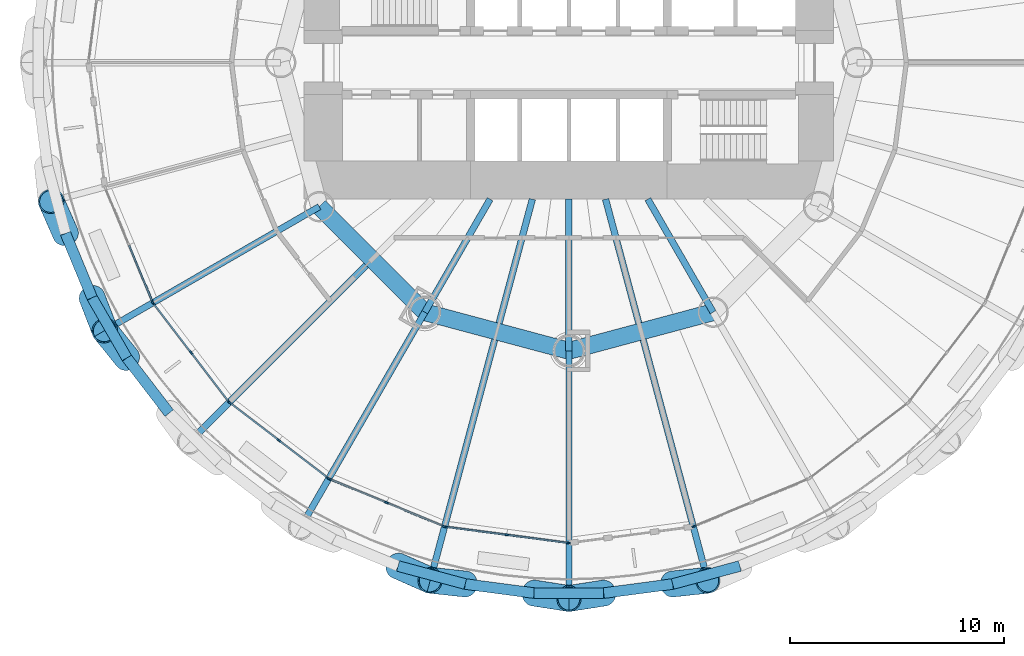
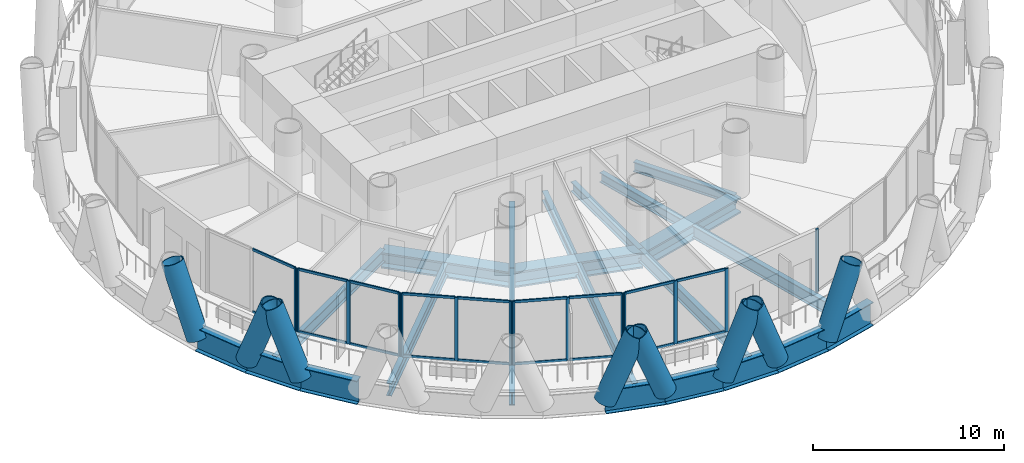
# One storey, part 2 of 16: 40 members, 22 beams, 6 elements without a shape of their own.
"""IFC4 building model written with IfcOpenShell, lengths in metres."""

from ifc_helpers import new_model, si_unit, direction, frame, origin, origin_2d, place, context, subcontext, project, spatial, rectangle, hollow_circle, i_section, extrude, material, material_profile, profile_set, type_object, element, aggregate, save


model = new_model("IFC4")

# Units and contexts
model_context = context("Model", 3, precision=1e-05, world=origin(), true_north=direction((0.0, 1.0)))
body_context = subcontext(model_context, "Body", "Model", "MODEL_VIEW")
ifc_project = project(units=[si_unit("LENGTHUNIT", "METRE"), si_unit("AREAUNIT", "SQUARE_METRE"), si_unit("VOLUMEUNIT", "CUBIC_METRE"), si_unit("PLANEANGLEUNIT", "RADIAN"), si_unit("MASSUNIT", "GRAM", prefix="KILO")], contexts=[model_context])

# Site, building, storey
site_placement = place(None, origin())
site = spatial("IfcSite", under=ifc_project, at=site_placement, CompositionType="ELEMENT")
building_placement = place(site_placement, origin())
building = spatial("IfcBuilding", under=site, at=building_placement, Name="Qaws Media Tower", CompositionType="ELEMENT")
storey_placement = place(building_placement, frame((0.0, 0.0, 55.39990234375)))
storey = spatial("IfcBuildingStorey", under=building, at=storey_placement, Name="L11", CompositionType="ELEMENT", Elevation=55.39990234375)

# Curtain wall, member
ifc_material_1 = material(Name="Aluminium and clear glass", Category="aluminium")
curtain_wall_type = type_object("IfcCurtainWallType", Name="Unitised curtain wall CW-A", PredefinedType="NOTDEFINED", material=ifc_material_1)
curtain_wall_1_placement = place(storey_placement, origin())
curtain_wall_1 = element("IfcCurtainWall", 1, at=curtain_wall_1_placement, inside=storey, type_object=curtain_wall_type, Name="CWA curtain wall L11-14", PredefinedType="NOTDEFINED")
ifc_material_2 = material(Name="Aluminium mullion", Category="aluminium")
ifc_material_profile_1 = material_profile(ifc_material_2, rectangle(XDim=0.080078125, YDim=0.199951171875, at=origin_2d()), Name="80x200")
ifc_profile_set_1 = profile_set([ifc_material_profile_1], Name="Aluminium mullion")
member_type_1 = type_object("IfcMemberType", Name="Curtain wall mullion 80x200", PredefinedType="MULLION", material=ifc_profile_set_1)
member_1_placement = place(storey_placement, frame((40.4990234375, 38.786865234375, 0.0), z_axis=(0.0, 0.0, 1.0), x_axis=(0.923879550892, 0.38268338799, 0.0)))
member_1 = element("IfcMember", 2, at=member_1_placement, type_object=member_type_1, Name="CWA mullion 3", PredefinedType="MULLION", context=body_context, shape_type="SweptSolid", body=[
    extrude(rectangle(XDim=0.080078125, YDim=0.199951171875, at=origin_2d()), origin(), (0.0, 0.0, 1.0), 4.0400390625),
])

# Curtain wall, members
curtain_wall_2_placement = place(storey_placement, origin())
curtain_wall_2 = element("IfcCurtainWall", 3, at=curtain_wall_2_placement, inside=storey, type_object=curtain_wall_type, Name="CWA curtain wall L11-15", PredefinedType="NOTDEFINED")
member_2_placement = place(storey_placement, frame((40.538818359375, 38.71826171875, 0.0), z_axis=(0.0, 0.0, 1.0), x_axis=(0.793353367693, 0.608761393298, 0.0)))
member_2 = element("IfcMember", 4, at=member_2_placement, type_object=member_type_1, Name="CWA mullion 1", PredefinedType="MULLION", context=body_context, shape_type="SweptSolid", body=[
    extrude(rectangle(XDim=0.080078125, YDim=0.199951171875, at=origin_2d()), origin(), (0.0, 0.0, 1.0), 4.0400390625),
])
member_3_placement = place(storey_placement, frame((42.30224609375, 36.420166015625, 0.0), z_axis=(0.0, 0.0, 1.0), x_axis=(0.793353367693, 0.608761393298, 0.0)))
member_3 = element("IfcMember", 5, at=member_3_placement, type_object=member_type_1, Name="CWA mullion 2", PredefinedType="MULLION", context=body_context, shape_type="SweptSolid", body=[
    extrude(rectangle(XDim=0.080078125, YDim=0.199951171875, at=origin_2d()), origin(), (0.0, 0.0, 1.0), 4.0400390625),
])
member_4_placement = place(storey_placement, frame((44.065673828125, 34.121826171875, 0.0), z_axis=(0.0, 0.0, 1.0), x_axis=(0.793353367693, 0.608761393298, 0.0)))
member_4 = element("IfcMember", 6, at=member_4_placement, type_object=member_type_1, Name="CWA mullion 3", PredefinedType="MULLION", context=body_context, shape_type="SweptSolid", body=[
    extrude(rectangle(XDim=0.080078125, YDim=0.199951171875, at=origin_2d()), origin(), (0.0, 0.0, 1.0), 4.0400390625),
])

curtain_wall_3_placement = place(storey_placement, origin())
curtain_wall_3 = element("IfcCurtainWall", 7, at=curtain_wall_3_placement, inside=storey, type_object=curtain_wall_type, Name="CWA curtain wall L11-16", PredefinedType="NOTDEFINED")
member_5_placement = place(storey_placement, frame((44.121826171875, 34.065673828125, 0.0), z_axis=(0.0, 0.0, 1.0), x_axis=(0.608761393298, 0.793353367693, 0.0)))
member_5 = element("IfcMember", 8, at=member_5_placement, type_object=member_type_1, Name="CWA mullion 1", PredefinedType="MULLION", context=body_context, shape_type="SweptSolid", body=[
    extrude(rectangle(XDim=0.080078125, YDim=0.199951171875, at=origin_2d()), origin(), (0.0, 0.0, 1.0), 4.0400390625),
])
member_6_placement = place(storey_placement, frame((46.420166015625, 32.30224609375, 0.0), z_axis=(0.0, 0.0, 1.0), x_axis=(0.608761393298, 0.793353367693, 0.0)))
member_6 = element("IfcMember", 9, at=member_6_placement, type_object=member_type_1, Name="CWA mullion 2", PredefinedType="MULLION", context=body_context, shape_type="SweptSolid", body=[
    extrude(rectangle(XDim=0.080078125, YDim=0.199951171875, at=origin_2d()), origin(), (0.0, 0.0, 1.0), 4.0400390625),
])
member_7_placement = place(storey_placement, frame((48.71826171875, 30.538818359375, 0.0), z_axis=(0.0, 0.0, 1.0), x_axis=(0.608761393298, 0.793353367693, 0.0)))
member_7 = element("IfcMember", 10, at=member_7_placement, type_object=member_type_1, Name="CWA mullion 3", PredefinedType="MULLION", context=body_context, shape_type="SweptSolid", body=[
    extrude(rectangle(XDim=0.080078125, YDim=0.199951171875, at=origin_2d()), origin(), (0.0, 0.0, 1.0), 4.0400390625),
])

curtain_wall_4_placement = place(storey_placement, origin())
curtain_wall_4 = element("IfcCurtainWall", 11, at=curtain_wall_4_placement, inside=storey, type_object=curtain_wall_type, Name="CWA curtain wall L11-17", PredefinedType="NOTDEFINED")
member_8_placement = place(storey_placement, frame((48.786865234375, 30.4990234375, 0.0), z_axis=(0.0, 0.0, 1.0), x_axis=(0.38268338799, 0.923879550892, 0.0)))
member_8 = element("IfcMember", 12, at=member_8_placement, type_object=member_type_1, Name="CWA mullion 1", PredefinedType="MULLION", context=body_context, shape_type="SweptSolid", body=[
    extrude(rectangle(XDim=0.080078125, YDim=0.199951171875, at=origin_2d()), origin(), (0.0, 0.0, 1.0), 4.0400390625),
])
member_9_placement = place(storey_placement, frame((51.46337890625, 29.390625, 0.0), z_axis=(0.0, 0.0, 1.0), x_axis=(0.38268338799, 0.923879550892, 0.0)))
member_9 = element("IfcMember", 13, at=member_9_placement, type_object=member_type_1, Name="CWA mullion 2", PredefinedType="MULLION", context=body_context, shape_type="SweptSolid", body=[
    extrude(rectangle(XDim=0.080078125, YDim=0.199951171875, at=origin_2d()), origin(), (0.0, 0.0, 1.0), 4.0400390625),
])
member_10_placement = place(storey_placement, frame((54.1396484375, 28.281982421875, 0.0), z_axis=(0.0, 0.0, 1.0), x_axis=(0.38268338799, 0.923879550892, 0.0)))
member_10 = element("IfcMember", 14, at=member_10_placement, type_object=member_type_1, Name="CWA mullion 3", PredefinedType="MULLION", context=body_context, shape_type="SweptSolid", body=[
    extrude(rectangle(XDim=0.080078125, YDim=0.199951171875, at=origin_2d()), origin(), (0.0, 0.0, 1.0), 4.0400390625),
])

curtain_wall_5_placement = place(storey_placement, origin())
curtain_wall_5 = element("IfcCurtainWall", 15, at=curtain_wall_5_placement, inside=storey, type_object=curtain_wall_type, Name="CWA curtain wall L11-18", PredefinedType="NOTDEFINED")
member_11_placement = place(storey_placement, frame((54.21630859375, 28.261474609375, 0.0), z_axis=(0.0, 0.0, 1.0), x_axis=(0.13052619684, 0.991444860766, 0.0)))
member_11 = element("IfcMember", 16, at=member_11_placement, type_object=member_type_1, Name="CWA mullion 1", PredefinedType="MULLION", context=body_context, shape_type="SweptSolid", body=[
    extrude(rectangle(XDim=0.080078125, YDim=0.199951171875, at=origin_2d()), origin(), (0.0, 0.0, 1.0), 4.0400390625),
])
member_12_placement = place(storey_placement, frame((57.08837890625, 27.88330078125, 0.0), z_axis=(0.0, 0.0, 1.0), x_axis=(0.13052619684, 0.991444860766, 0.0)))
member_12 = element("IfcMember", 17, at=member_12_placement, type_object=member_type_1, Name="CWA mullion 2", PredefinedType="MULLION", context=body_context, shape_type="SweptSolid", body=[
    extrude(rectangle(XDim=0.080078125, YDim=0.199951171875, at=origin_2d()), origin(), (0.0, 0.0, 1.0), 4.0400390625),
])
member_13_placement = place(storey_placement, frame((59.96044921875, 27.505126953125, 0.0), z_axis=(0.0, 0.0, 1.0), x_axis=(0.13052619684, 0.991444860766, 0.0)))
member_13 = element("IfcMember", 18, at=member_13_placement, type_object=member_type_1, Name="CWA mullion 3", PredefinedType="MULLION", context=body_context, shape_type="SweptSolid", body=[
    extrude(rectangle(XDim=0.080078125, YDim=0.199951171875, at=origin_2d()), origin(), (0.0, 0.0, 1.0), 4.0400390625),
])

# Curtain wall, member
curtain_wall_6_placement = place(storey_placement, origin())
curtain_wall_6 = element("IfcCurtainWall", 19, at=curtain_wall_6_placement, inside=storey, type_object=curtain_wall_type, Name="CWA curtain wall L11-20", PredefinedType="NOTDEFINED")
member_14_placement = place(storey_placement, frame((65.8603515625, 28.281982421875, 0.0), z_axis=(0.0, 0.0, 1.0), x_axis=(-0.38268338799, 0.923879550892, 0.0)))
member_14 = element("IfcMember", 20, at=member_14_placement, type_object=member_type_1, Name="CWA mullion 1", PredefinedType="MULLION", context=body_context, shape_type="SweptSolid", body=[
    extrude(rectangle(XDim=0.080078125, YDim=0.199951171875, at=origin_2d()), origin(), (0.0, 0.0, 1.0), 4.0400390625),
])
aggregate(curtain_wall_6, [member_14])

# Member
ifc_material_3 = material(Name="Aluminium transom", Category="aluminium")
ifc_material_profile_2 = material_profile(ifc_material_3, rectangle(XDim=0.080078125, YDim=0.159912109375, at=origin_2d()), Name="80x160")
ifc_profile_set_2 = profile_set([ifc_material_profile_2], Name="Aluminium transom")
member_type_2 = type_object("IfcMemberType", Name="Curtain wall transom 80x160", PredefinedType="USERDEFINED", material=ifc_profile_set_2)
member_15_placement = place(storey_placement, frame((39.40576171875, 41.42626953125, 0.0400390625), z_axis=(0.382749839039, -0.92385202317, 0.0), x_axis=(0.92385202317, 0.382749839039, 0.0)))
member_15 = element("IfcMember", 21, at=member_15_placement, type_object=member_type_2, Name="CWA transom 2.1", ObjectType="TRANSOM", PredefinedType="USERDEFINED", context=body_context, shape_type="SweptSolid", body=[
    extrude(rectangle(XDim=0.080078125, YDim=0.159912109375, at=origin_2d()), origin(), (0.0, 0.0, 1.0), 2.81689453125),
])

member_16_placement = place(storey_placement, frame((39.40576171875, 41.42626953125, 4.0), z_axis=(0.382749839039, -0.92385202317, 0.0), x_axis=(0.92385202317, 0.382749839039, 0.0)))
member_16 = element("IfcMember", 22, at=member_16_placement, type_object=member_type_2, Name="CWA transom 2.2", ObjectType="TRANSOM", PredefinedType="USERDEFINED", context=body_context, shape_type="SweptSolid", body=[
    extrude(rectangle(XDim=0.080078125, YDim=0.159912109375, at=origin_2d()), origin(), (0.0, 0.0, 1.0), 2.81689453125),
])

aggregate(curtain_wall_1, [member_1, member_15, member_16])

member_17_placement = place(storey_placement, frame((40.563232421875, 38.6865234375, 0.0400390625), z_axis=(0.608742665806, -0.793367737451, 0.0), x_axis=(0.793367737451, 0.608742665806, 0.0)))
member_17 = element("IfcMember", 23, at=member_17_placement, type_object=member_type_2, Name="CWA transom 1.1", ObjectType="TRANSOM", PredefinedType="USERDEFINED", context=body_context, shape_type="SweptSolid", body=[
    extrude(rectangle(XDim=0.080078125, YDim=0.159912109375, at=origin_2d()), origin(), (0.0, 0.0, 1.0), 2.816650390625),
])

member_18_placement = place(storey_placement, frame((40.563232421875, 38.6865234375, 4.0), z_axis=(0.608742665806, -0.793367737451, 0.0), x_axis=(0.793367737451, 0.608742665806, 0.0)))
member_18 = element("IfcMember", 24, at=member_18_placement, type_object=member_type_2, Name="CWA transom 1.2", ObjectType="TRANSOM", PredefinedType="USERDEFINED", context=body_context, shape_type="SweptSolid", body=[
    extrude(rectangle(XDim=0.080078125, YDim=0.159912109375, at=origin_2d()), origin(), (0.0, 0.0, 1.0), 2.816650390625),
])

member_19_placement = place(storey_placement, frame((42.32666015625, 36.388427734375, 0.0400390625), z_axis=(0.608755360459, -0.793357996817, 0.0), x_axis=(0.793357996817, 0.608755360459, 0.0)))
member_19 = element("IfcMember", 25, at=member_19_placement, type_object=member_type_2, Name="CWA transom 2.1", ObjectType="TRANSOM", PredefinedType="USERDEFINED", context=body_context, shape_type="SweptSolid", body=[
    extrude(rectangle(XDim=0.080078125, YDim=0.159912109375, at=origin_2d()), origin(), (0.0, 0.0, 1.0), 2.81689453125),
])

member_20_placement = place(storey_placement, frame((42.32666015625, 36.388427734375, 4.0), z_axis=(0.608755360459, -0.793357996817, 0.0), x_axis=(0.793357996817, 0.608755360459, 0.0)))
member_20 = element("IfcMember", 26, at=member_20_placement, type_object=member_type_2, Name="CWA transom 2.2", ObjectType="TRANSOM", PredefinedType="USERDEFINED", context=body_context, shape_type="SweptSolid", body=[
    extrude(rectangle(XDim=0.080078125, YDim=0.159912109375, at=origin_2d()), origin(), (0.0, 0.0, 1.0), 2.81689453125),
])

aggregate(curtain_wall_2, [member_2, member_3, member_4, member_17, member_18, member_19, member_20])

member_21_placement = place(storey_placement, frame((44.153564453125, 34.04150390625, 0.0400390625), z_axis=(0.793357996817, -0.608755360459, 0.0), x_axis=(0.608755360459, 0.793357996817, 0.0)))
member_21 = element("IfcMember", 27, at=member_21_placement, type_object=member_type_2, Name="CWA transom 1.1", ObjectType="TRANSOM", PredefinedType="USERDEFINED", context=body_context, shape_type="SweptSolid", body=[
    extrude(rectangle(XDim=0.080078125, YDim=0.159912109375, at=origin_2d()), origin(), (0.0, 0.0, 1.0), 2.81689453125),
])

member_22_placement = place(storey_placement, frame((44.153564453125, 34.04150390625, 4.0), z_axis=(0.793357996817, -0.608755360459, 0.0), x_axis=(0.608755360459, 0.793357996817, 0.0)))
member_22 = element("IfcMember", 28, at=member_22_placement, type_object=member_type_2, Name="CWA transom 1.2", ObjectType="TRANSOM", PredefinedType="USERDEFINED", context=body_context, shape_type="SweptSolid", body=[
    extrude(rectangle(XDim=0.080078125, YDim=0.159912109375, at=origin_2d()), origin(), (0.0, 0.0, 1.0), 2.81689453125),
])

member_23_placement = place(storey_placement, frame((46.451904296875, 32.27783203125, 0.0400390625), z_axis=(0.793367737451, -0.608742665806, 0.0), x_axis=(0.608742665806, 0.793367737451, 0.0)))
member_23 = element("IfcMember", 29, at=member_23_placement, type_object=member_type_2, Name="CWA transom 2.1", ObjectType="TRANSOM", PredefinedType="USERDEFINED", context=body_context, shape_type="SweptSolid", body=[
    extrude(rectangle(XDim=0.080078125, YDim=0.159912109375, at=origin_2d()), origin(), (0.0, 0.0, 1.0), 2.816650390625),
])

member_24_placement = place(storey_placement, frame((46.451904296875, 32.27783203125, 4.0), z_axis=(0.793367737451, -0.608742665806, 0.0), x_axis=(0.608742665806, 0.793367737451, 0.0)))
member_24 = element("IfcMember", 30, at=member_24_placement, type_object=member_type_2, Name="CWA transom 2.2", ObjectType="TRANSOM", PredefinedType="USERDEFINED", context=body_context, shape_type="SweptSolid", body=[
    extrude(rectangle(XDim=0.080078125, YDim=0.159912109375, at=origin_2d()), origin(), (0.0, 0.0, 1.0), 2.816650390625),
])

aggregate(curtain_wall_3, [member_5, member_6, member_7, member_21, member_22, member_23, member_24])

member_25_placement = place(storey_placement, frame((48.823974609375, 30.48388671875, 0.0400390625), z_axis=(0.92385202317, -0.382749839039, 0.0), x_axis=(0.382749839039, 0.92385202317, 0.0)))
member_25 = element("IfcMember", 31, at=member_25_placement, type_object=member_type_2, Name="CWA transom 1.1", ObjectType="TRANSOM", PredefinedType="USERDEFINED", context=body_context, shape_type="SweptSolid", body=[
    extrude(rectangle(XDim=0.080078125, YDim=0.159912109375, at=origin_2d()), origin(), (0.0, 0.0, 1.0), 2.81689453125),
])

member_26_placement = place(storey_placement, frame((48.823974609375, 30.48388671875, 4.0), z_axis=(0.92385202317, -0.382749839039, 0.0), x_axis=(0.382749839039, 0.92385202317, 0.0)))
member_26 = element("IfcMember", 32, at=member_26_placement, type_object=member_type_2, Name="CWA transom 1.2", ObjectType="TRANSOM", PredefinedType="USERDEFINED", context=body_context, shape_type="SweptSolid", body=[
    extrude(rectangle(XDim=0.080078125, YDim=0.159912109375, at=origin_2d()), origin(), (0.0, 0.0, 1.0), 2.81689453125),
])

member_27_placement = place(storey_placement, frame((51.500244140625, 29.375244140625, 0.0400390625), z_axis=(0.923882669313, -0.382675859369, 0.0), x_axis=(0.382675859369, 0.923882669313, 0.0)))
member_27 = element("IfcMember", 33, at=member_27_placement, type_object=member_type_2, Name="CWA transom 2.1", ObjectType="TRANSOM", PredefinedType="USERDEFINED", context=body_context, shape_type="SweptSolid", body=[
    extrude(rectangle(XDim=0.080078125, YDim=0.159912109375, at=origin_2d()), origin(), (0.0, 0.0, 1.0), 2.816650390625),
])

member_28_placement = place(storey_placement, frame((51.500244140625, 29.375244140625, 4.0), z_axis=(0.923882669313, -0.382675859369, 0.0), x_axis=(0.382675859369, 0.923882669313, 0.0)))
member_28 = element("IfcMember", 34, at=member_28_placement, type_object=member_type_2, Name="CWA transom 2.2", ObjectType="TRANSOM", PredefinedType="USERDEFINED", context=body_context, shape_type="SweptSolid", body=[
    extrude(rectangle(XDim=0.080078125, YDim=0.159912109375, at=origin_2d()), origin(), (0.0, 0.0, 1.0), 2.816650390625),
])

aggregate(curtain_wall_4, [member_8, member_9, member_10, member_25, member_26, member_27, member_28])

member_29_placement = place(storey_placement, frame((54.255859375, 28.25634765625, 0.0400390625), z_axis=(0.991444557635, -0.130528499327, 0.0), x_axis=(0.130528499327, 0.991444557635, 0.0)))
member_29 = element("IfcMember", 35, at=member_29_placement, type_object=member_type_2, Name="CWA transom 1.1", ObjectType="TRANSOM", PredefinedType="USERDEFINED", context=body_context, shape_type="SweptSolid", body=[
    extrude(rectangle(XDim=0.080078125, YDim=0.159912109375, at=origin_2d()), origin(), (0.0, 0.0, 1.0), 2.81689453125),
])

member_30_placement = place(storey_placement, frame((54.255859375, 28.25634765625, 4.0), z_axis=(0.991444557635, -0.130528499327, 0.0), x_axis=(0.130528499327, 0.991444557635, 0.0)))
member_30 = element("IfcMember", 36, at=member_30_placement, type_object=member_type_2, Name="CWA transom 1.2", ObjectType="TRANSOM", PredefinedType="USERDEFINED", context=body_context, shape_type="SweptSolid", body=[
    extrude(rectangle(XDim=0.080078125, YDim=0.159912109375, at=origin_2d()), origin(), (0.0, 0.0, 1.0), 2.81689453125),
])

member_31_placement = place(storey_placement, frame((57.1279296875, 27.878173828125, 0.0400390625), z_axis=(0.991444557635, -0.130528499327, 0.0), x_axis=(0.130528499327, 0.991444557635, 0.0)))
member_31 = element("IfcMember", 37, at=member_31_placement, type_object=member_type_2, Name="CWA transom 2.1", ObjectType="TRANSOM", PredefinedType="USERDEFINED", context=body_context, shape_type="SweptSolid", body=[
    extrude(rectangle(XDim=0.080078125, YDim=0.159912109375, at=origin_2d()), origin(), (0.0, 0.0, 1.0), 2.81689453125),
])

member_32_placement = place(storey_placement, frame((57.1279296875, 27.878173828125, 4.0), z_axis=(0.991444557635, -0.130528499327, 0.0), x_axis=(0.130528499327, 0.991444557635, 0.0)))
member_32 = element("IfcMember", 38, at=member_32_placement, type_object=member_type_2, Name="CWA transom 2.2", ObjectType="TRANSOM", PredefinedType="USERDEFINED", context=body_context, shape_type="SweptSolid", body=[
    extrude(rectangle(XDim=0.080078125, YDim=0.159912109375, at=origin_2d()), origin(), (0.0, 0.0, 1.0), 2.81689453125),
])

aggregate(curtain_wall_5, [member_11, member_12, member_13, member_29, member_30, member_31, member_32])

# Members
ifc_material_4 = material(Name="Steel S460", Category="steel")
ifc_material_profile_3 = material_profile(ifc_material_4, hollow_circle(Radius=0.609619140625, WallThickness=0.06005859375, at=origin_2d()), Name="CHS 1219x60")
ifc_profile_set_3 = profile_set([ifc_material_profile_3], Name="Steel S460")
member_type_3 = type_object("IfcMemberType", Name="Diagrid member CHS 1219x60", PredefinedType="USERDEFINED", material=ifc_profile_set_3)
for number, where, z_axis, x_axis, name in (
    (39, (37.66796875, 38.987060546875, -0.909912109375), (0.131816923329, -0.340689388047, 0.930889380967), (0.932625997701, 0.360844493393, 0.0), "DG1 diagrid L11 A14"),
    (40, (36.42138671875, 41.99609375, -0.909912109375), (-0.147617876658, 0.334142371102, 0.930890884221), (-0.914713346235, -0.404103321219, 0.0), "DG1 diagrid L11 B14"),
    (41, (39.29638671875, 36.166259765625, -0.909912109375), (-0.229110498228, 0.28452125642, 0.930889915214), (-0.778870486931, -0.627184793014, 0.0), "DG1 diagrid L11 B15"),
    (42, (51.99609375, 26.42138671875, -0.909912109375), (0.334142371102, -0.147617876658, 0.930890884221), (0.404103321219, 0.914713346235, 0.0), "DG1 diagrid L11 A17"),
    (43, (58.37158203125, 25.1533203125, -0.909912109375), (0.360931183514, -0.056168900823, 0.930899422788), (0.153771291255, 0.988106466928, 0.0), "DG1 diagrid L11 A18"),
    (44, (55.142333984375, 25.578369140625, -0.909912109375), (-0.363198476456, 0.039231063086, 0.930885487259), (-0.107390828368, -0.994216882769, 0.0), "DG1 diagrid L11 B18"),
    (45, (64.857666015625, 25.578369140625, -0.909912109375), (0.363198476456, 0.039231063086, 0.930885487259), (-0.107390828368, 0.994216882769, 0.0), "DG1 diagrid L11 A19"),
    (46, (61.62841796875, 25.1533203125, -0.909912109375), (-0.360931183514, -0.056168900823, 0.930899422788), (0.153771291255, -0.988106466928, 0.0), "DG1 diagrid L11 B19"),
):
    element("IfcMember", number, at=place(storey_placement, frame(where, z_axis=z_axis, x_axis=x_axis)), inside=storey, type_object=member_type_3, Name=name, ObjectType="DIAGRID", PredefinedType="USERDEFINED", context=body_context, shape_type="SweptSolid", body=[
        extrude(hollow_circle(Radius=0.609619140625, WallThickness=0.06005859375, at=origin_2d()), origin(), (0.0, 0.0, 1.0), 4.51171875),
    ])

# Beams
ifc_material_5 = material(Name="Steel S460", Category="steel")
ifc_material_profile_4 = material_profile(ifc_material_5, i_section(OverallWidth=0.5, OverallDepth=1.5, WebThickness=0.02001953125, FlangeThickness=0.0400390625, at=origin_2d()), Name="PG 1500x500")
ifc_profile_set_4 = profile_set([ifc_material_profile_4], Name="Steel S460")
beam_type_1 = type_object("IfcBeamType", Name="Edge ring beam PG 1500x500", PredefinedType="BEAM", material=ifc_profile_set_4)
for number, where, z_axis, x_axis, name in (
    (47, (36.42138671875, 41.99609375, -0.909912109375), (0.382735757959, -0.923857856805, 0.0), (0.923857856805, 0.382735757959, 0.0), "RB4 edge ring beam L11-27"),
    (48, (37.66796875, 38.987060546875, -0.909912109375), (0.499960365612, -0.8660482855, 0.0), (0.8660482855, 0.499960365612, 0.0), "RB4 edge ring beam L11-28"),
    (49, (39.29638671875, 36.166259765625, -0.909912109375), (0.608790261777, -0.793331215298, 0.0), (0.793331215298, 0.608790261777, 0.0), "RB4 edge ring beam L11-29"),
):
    element("IfcBeam", number, at=place(storey_placement, frame(where, z_axis=z_axis, x_axis=x_axis)), inside=storey, type_object=beam_type_1, Name=name, PredefinedType="BEAM", context=body_context, shape_type="SweptSolid", body=[
        extrude(i_section(OverallWidth=0.5, OverallDepth=1.5, WebThickness=0.02001953125, FlangeThickness=0.0400390625, at=origin_2d()), origin(), (0.0, 0.0, 1.0), 3.257080078125),
    ])
beam_1_placement = place(storey_placement, frame((51.99609375, 26.42138671875, -0.909912109375), z_axis=(0.965926973873, -0.258814762224, 0.0), x_axis=(0.258814762224, 0.965926973873, 0.0)))
element("IfcBeam", 50, at=beam_1_placement, inside=storey, type_object=beam_type_1, Name="RB4 edge ring beam L11-34", PredefinedType="BEAM", context=body_context, shape_type="SweptSolid", body=[
    extrude(i_section(OverallWidth=0.5, OverallDepth=1.5, WebThickness=0.02001953125, FlangeThickness=0.0400390625, at=origin_2d()), origin(), (0.0, 0.0, 1.0), 3.25732421875),
])
beam_2_placement = place(storey_placement, frame((55.142333984375, 25.578369140625, -0.909912109375), z_axis=(0.991448426611, -0.130499108697, 0.0), x_axis=(0.130499108697, 0.991448426611, 0.0)))
element("IfcBeam", 51, at=beam_2_placement, inside=storey, type_object=beam_type_1, Name="RB4 edge ring beam L11-35", PredefinedType="BEAM", context=body_context, shape_type="SweptSolid", body=[
    extrude(i_section(OverallWidth=0.5, OverallDepth=1.5, WebThickness=0.02001953125, FlangeThickness=0.0400390625, at=origin_2d()), origin(), (0.0, 0.0, 1.0), 3.257080078125),
])
beam_3_placement = place(storey_placement, frame((58.37158203125, 25.1533203125, -0.909912109375), z_axis=(1.0, 0.0, 0.0), x_axis=(0.0, 1.0, 0.0)))
element("IfcBeam", 52, at=beam_3_placement, inside=storey, type_object=beam_type_1, Name="RB4 edge ring beam L11-36", PredefinedType="BEAM", context=body_context, shape_type="SweptSolid", body=[
    extrude(i_section(OverallWidth=0.5, OverallDepth=1.5, WebThickness=0.02001953125, FlangeThickness=0.0400390625, at=origin_2d()), origin(), (0.0, 0.0, 1.0), 3.2568359375),
])
beam_4_placement = place(storey_placement, frame((61.62841796875, 25.1533203125, -0.909912109375), z_axis=(0.991448426611, 0.130499108697, 0.0), x_axis=(-0.130499108697, 0.991448426611, 0.0)))
element("IfcBeam", 53, at=beam_4_placement, inside=storey, type_object=beam_type_1, Name="RB4 edge ring beam L11-37", PredefinedType="BEAM", context=body_context, shape_type="SweptSolid", body=[
    extrude(i_section(OverallWidth=0.5, OverallDepth=1.5, WebThickness=0.02001953125, FlangeThickness=0.0400390625, at=origin_2d()), origin(), (0.0, 0.0, 1.0), 3.257080078125),
])
beam_5_placement = place(storey_placement, frame((64.857666015625, 25.578369140625, -0.909912109375), z_axis=(0.965926973873, 0.258814762224, 0.0), x_axis=(-0.258814762224, 0.965926973873, 0.0)))
element("IfcBeam", 54, at=beam_5_placement, inside=storey, type_object=beam_type_1, Name="RB4 edge ring beam L11-38", PredefinedType="BEAM", context=body_context, shape_type="SweptSolid", body=[
    extrude(i_section(OverallWidth=0.5, OverallDepth=1.5, WebThickness=0.02001953125, FlangeThickness=0.0400390625, at=origin_2d()), origin(), (0.0, 0.0, 1.0), 3.25732421875),
])
ifc_material_6 = material(Name="Steel S460", Category="steel")
ifc_material_profile_5 = material_profile(ifc_material_6, i_section(OverallWidth=0.800048828125, OverallDepth=1.0, WebThickness=0.0400390625, FlangeThickness=0.10009765625, at=origin_2d()), Name="PG 1000x800")
ifc_profile_set_5 = profile_set([ifc_material_profile_5], Name="Steel S460")
beam_type_2 = type_object("IfcBeamType", Name="Inner ring girder PG 1000x800", PredefinedType="BEAM", material=ifc_profile_set_5)
beam_6_placement = place(storey_placement, frame((48.30859375, 43.25, -0.659912109375), z_axis=(0.707106781187, -0.707106781187, 0.0), x_axis=(0.707106781187, 0.707106781187, 0.0)))
element("IfcBeam", 55, at=beam_6_placement, inside=storey, type_object=beam_type_2, Name="B3 inner ring beam L11 I08-I09", PredefinedType="BEAM", context=body_context, shape_type="SweptSolid", body=[
    extrude(i_section(OverallWidth=0.800048828125, OverallDepth=1.0, WebThickness=0.0400390625, FlangeThickness=0.10009765625, at=origin_2d()), origin(), (0.0, 0.0, 1.0), 6.98828125),
])
for number, where, z_axis, x_axis, name in (
    (56, (53.25, 38.30859375, -0.659912109375), (0.965928090778, -0.258810593767, 0.0), (0.258810593767, 0.965928090778, 0.0), "B3 inner ring beam L11 I09-I10"),
    (57, (60.0, 36.5, -0.659912109375), (0.965928090778, 0.258810593767, 0.0), (-0.258810593767, 0.965928090778, 0.0), "B3 inner ring beam L11 I10-I11"),
):
    element("IfcBeam", number, at=place(storey_placement, frame(where, z_axis=z_axis, x_axis=x_axis)), inside=storey, type_object=beam_type_2, Name=name, PredefinedType="BEAM", context=body_context, shape_type="SweptSolid", body=[
        extrude(i_section(OverallWidth=0.800048828125, OverallDepth=1.0, WebThickness=0.0400390625, FlangeThickness=0.10009765625, at=origin_2d()), origin(), (0.0, 0.0, 1.0), 6.988037109375),
    ])
ifc_material_7 = material(Name="Steel S355", Category="steel")
ifc_material_profile_6 = material_profile(ifc_material_7, i_section(OverallWidth=0.304931640625, OverallDepth=0.6201171875, WebThickness=0.02099609375, FlangeThickness=0.0400390625, FilletRadius=0.027099609375, at=origin_2d()), Name="HE 600 M")
ifc_profile_set_6 = profile_set([ifc_material_profile_6], Name="Steel S355")
beam_type_3 = type_object("IfcBeamType", Name="Radial beam HE 600 M, core side", PredefinedType="BEAM", material=ifc_profile_set_6)
beam_7_placement = place(storey_placement, frame((56.304931640625, 43.60009765625, -0.469970703125), z_axis=(-0.49998532359, -0.866033877048, 0.0), x_axis=(0.866033877048, -0.49998532359, 0.0)))
element("IfcBeam", 58, at=beam_7_placement, inside=storey, type_object=beam_type_3, Name="B2 radial beam L11 17", PredefinedType="BEAM", context=body_context, shape_type="SweptSolid", body=[
    extrude(i_section(OverallWidth=0.304931640625, OverallDepth=0.6201171875, WebThickness=0.02099609375, FlangeThickness=0.0400390625, FilletRadius=0.027099609375, at=origin_2d()), origin(), (0.0, 0.0, 1.0), 6.110107421875),
])
beam_8_placement = place(storey_placement, frame((58.28515625, 43.60009765625, -0.469970703125), z_axis=(-0.258824687089, -0.965924314506, 0.0), x_axis=(0.965924314506, -0.258824687089, 0.0)))
element("IfcBeam", 59, at=beam_8_placement, inside=storey, type_object=beam_type_3, Name="B2 radial beam L11 18", PredefinedType="BEAM", context=body_context, shape_type="SweptSolid", body=[
    extrude(i_section(OverallWidth=0.304931640625, OverallDepth=0.6201171875, WebThickness=0.02099609375, FlangeThickness=0.0400390625, FilletRadius=0.027099609375, at=origin_2d()), origin(), (0.0, 0.0, 1.0), 6.01416015625),
])
beam_9_placement = place(storey_placement, frame((60.0, 43.60009765625, -0.469970703125), z_axis=(0.0, -1.0, 0.0), x_axis=(1.0, 0.0, 0.0)))
element("IfcBeam", 60, at=beam_9_placement, inside=storey, type_object=beam_type_3, Name="B2 radial beam L11 19", PredefinedType="BEAM", context=body_context, shape_type="SweptSolid", body=[
    extrude(i_section(OverallWidth=0.304931640625, OverallDepth=0.6201171875, WebThickness=0.02099609375, FlangeThickness=0.0400390625, FilletRadius=0.027099609375, at=origin_2d()), origin(), (0.0, 0.0, 1.0), 7.10009765625),
])
beam_10_placement = place(storey_placement, frame((61.71484375, 43.60009765625, -0.469970703125), z_axis=(0.258824687089, -0.965924314506, 0.0), x_axis=(0.965924314506, 0.258824687089, 0.0)))
element("IfcBeam", 61, at=beam_10_placement, inside=storey, type_object=beam_type_3, Name="B2 radial beam L11 20", PredefinedType="BEAM", context=body_context, shape_type="SweptSolid", body=[
    extrude(i_section(OverallWidth=0.304931640625, OverallDepth=0.6201171875, WebThickness=0.02099609375, FlangeThickness=0.0400390625, FilletRadius=0.027099609375, at=origin_2d()), origin(), (0.0, 0.0, 1.0), 6.01416015625),
])
beam_11_placement = place(storey_placement, frame((63.695068359375, 43.60009765625, -0.469970703125), z_axis=(0.49998532359, -0.866033877048, 0.0), x_axis=(0.866033877048, 0.49998532359, 0.0)))
element("IfcBeam", 62, at=beam_11_placement, inside=storey, type_object=beam_type_3, Name="B2 radial beam L11 21", PredefinedType="BEAM", context=body_context, shape_type="SweptSolid", body=[
    extrude(i_section(OverallWidth=0.304931640625, OverallDepth=0.6201171875, WebThickness=0.02099609375, FlangeThickness=0.0400390625, FilletRadius=0.027099609375, at=origin_2d()), origin(), (0.0, 0.0, 1.0), 6.110107421875),
])
ifc_material_8 = material(Name="Steel S355", Category="steel")
ifc_material_profile_7 = material_profile(ifc_material_8, i_section(OverallWidth=0.300048828125, OverallDepth=0.800048828125, WebThickness=0.017578125, FlangeThickness=0.032958984375, FilletRadius=0.030029296875, at=origin_2d()), Name="HE 800 B")
ifc_profile_set_7 = profile_set([ifc_material_profile_7], Name="Steel S355")
beam_type_4 = type_object("IfcBeamType", Name="Radial beam HE 800 B", PredefinedType="BEAM", material=ifc_profile_set_7)
beam_12_placement = place(storey_placement, frame((48.30859375, 43.25, -0.559814453125), z_axis=(-0.866023270045, -0.500003695727, 0.0), x_axis=(0.500003695727, -0.866023270045, 0.0)))
element("IfcBeam", 63, at=beam_12_placement, inside=storey, type_object=beam_type_4, Name="B1 radial beam L11 15", PredefinedType="BEAM", context=body_context, shape_type="SweptSolid", body=[
    extrude(i_section(OverallWidth=0.300048828125, OverallDepth=0.800048828125, WebThickness=0.017578125, FlangeThickness=0.032958984375, FilletRadius=0.030029296875, at=origin_2d()), origin(), (0.0, 0.0, 1.0), 11.3466796875),
])
beam_13_placement = place(storey_placement, frame((50.49658203125, 40.49658203125, -0.559814453125), z_axis=(-0.707106781187, -0.707106781187, 0.0), x_axis=(0.707106781187, -0.707106781187, 0.0)))
element("IfcBeam", 64, at=beam_13_placement, inside=storey, type_object=beam_type_4, Name="B1 radial beam L11 16", PredefinedType="BEAM", context=body_context, shape_type="SweptSolid", body=[
    extrude(i_section(OverallWidth=0.300048828125, OverallDepth=0.800048828125, WebThickness=0.017578125, FlangeThickness=0.032958984375, FilletRadius=0.030029296875, at=origin_2d()), origin(), (0.0, 0.0, 1.0), 11.406982421875),
])
beam_14_placement = place(storey_placement, frame((53.25, 38.30859375, -0.559814453125), z_axis=(-0.500003695727, -0.866023270045, 0.0), x_axis=(0.866023270045, -0.500003695727, 0.0)))
element("IfcBeam", 65, at=beam_14_placement, inside=storey, type_object=beam_type_4, Name="B1 radial beam L11 17", PredefinedType="BEAM", context=body_context, shape_type="SweptSolid", body=[
    extrude(i_section(OverallWidth=0.300048828125, OverallDepth=0.800048828125, WebThickness=0.017578125, FlangeThickness=0.032958984375, FilletRadius=0.030029296875, at=origin_2d()), origin(), (0.0, 0.0, 1.0), 11.3466796875),
])
beam_15_placement = place(storey_placement, frame((56.521484375, 37.01806640625, -0.559814453125), z_axis=(-0.258828090141, -0.965923402633, 0.0), x_axis=(0.965923402633, -0.258828090141, 0.0)))
element("IfcBeam", 66, at=beam_15_placement, inside=storey, type_object=beam_type_4, Name="B1 radial beam L11 18", PredefinedType="BEAM", context=body_context, shape_type="SweptSolid", body=[
    extrude(i_section(OverallWidth=0.300048828125, OverallDepth=0.800048828125, WebThickness=0.017578125, FlangeThickness=0.032958984375, FilletRadius=0.030029296875, at=origin_2d()), origin(), (0.0, 0.0, 1.0), 11.40673828125),
])
beam_16_placement = place(storey_placement, frame((60.0, 36.5, -0.559814453125), z_axis=(0.0, -1.0, 0.0), x_axis=(1.0, 0.0, 0.0)))
element("IfcBeam", 67, at=beam_16_placement, inside=storey, type_object=beam_type_4, Name="B1 radial beam L11 19", PredefinedType="BEAM", context=body_context, shape_type="SweptSolid", body=[
    extrude(i_section(OverallWidth=0.300048828125, OverallDepth=0.800048828125, WebThickness=0.017578125, FlangeThickness=0.032958984375, FilletRadius=0.030029296875, at=origin_2d()), origin(), (0.0, 0.0, 1.0), 11.3466796875),
])
beam_17_placement = place(storey_placement, frame((63.478515625, 37.01806640625, -0.559814453125), z_axis=(0.258828090141, -0.965923402633, 0.0), x_axis=(0.965923402633, 0.258828090141, 0.0)))
element("IfcBeam", 68, at=beam_17_placement, inside=storey, type_object=beam_type_4, Name="B1 radial beam L11 20", PredefinedType="BEAM", context=body_context, shape_type="SweptSolid", body=[
    extrude(i_section(OverallWidth=0.300048828125, OverallDepth=0.800048828125, WebThickness=0.017578125, FlangeThickness=0.032958984375, FilletRadius=0.030029296875, at=origin_2d()), origin(), (0.0, 0.0, 1.0), 11.40673828125),
])

save(model, "model.ifc")
